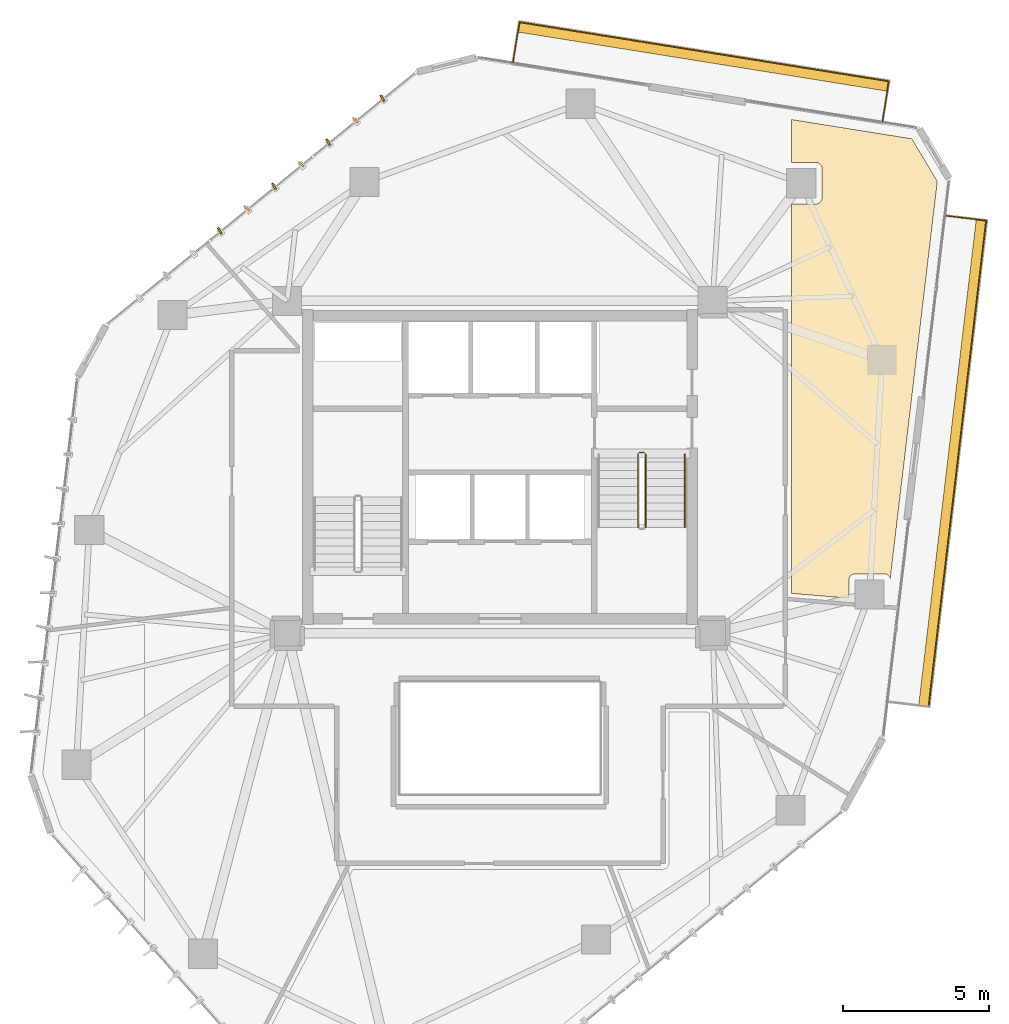
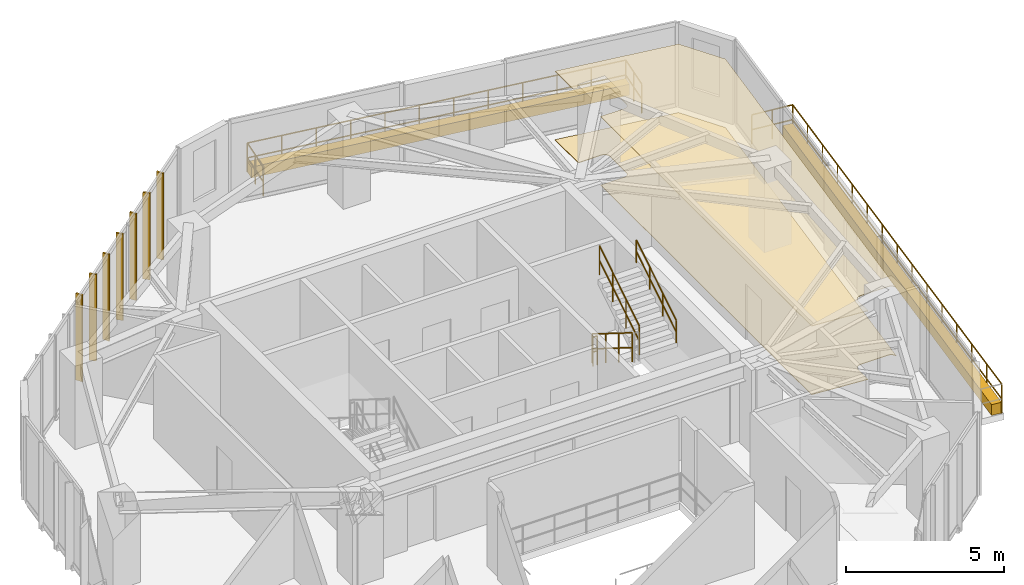
# One storey, part 22 of 22: 9 railings, 7 shading devices, 4 coverings.
"""IFC4 building model written with IfcOpenShell, lengths in metres."""

from ifc_helpers import new_model, si_unit, direction, frame, origin, origin_2d, place, context, subcontext, project, spatial, polyline, rectangle, circle, outline, extrude, source, transform, mapped, material, layer, layer_set, type_object, type_shapes, element, save


model = new_model("IFC4")

# Units and contexts
model_context = context("Model", 3, precision=1e-05, world=origin(), true_north=direction((0.0, 1.0)))
body_context = subcontext(model_context, "Body", "Model", "MODEL_VIEW")
ifc_project = project(units=[si_unit("LENGTHUNIT", "METRE"), si_unit("AREAUNIT", "SQUARE_METRE"), si_unit("VOLUMEUNIT", "CUBIC_METRE"), si_unit("PLANEANGLEUNIT", "RADIAN"), si_unit("MASSUNIT", "GRAM", prefix="KILO")], contexts=[model_context])

# Site, building, storey
site_placement = place(None, origin())
site = spatial("IfcSite", under=ifc_project, at=site_placement, CompositionType="ELEMENT")
building_placement = place(site_placement, origin())
building = spatial("IfcBuilding", under=site, at=building_placement, Name="Talar Marvaseh", CompositionType="ELEMENT")
storey_placement = place(building_placement, frame((0.0, 0.0, 208.199951171875)))
storey = spatial("IfcBuildingStorey", under=building, at=storey_placement, Name="L54", CompositionType="ELEMENT", Elevation=208.199951171875)

# Railings
ifc_material_1 = material(Name="Stainless Steel Grade 316", Category="steel")
railing_type_1 = type_object("IfcRailingType", Name="Brushed Stainless Wall Pitch Handrail 900", PredefinedType="HANDRAIL", material=ifc_material_1)
railing_1_placement = place(storey_placement, frame((32.35009765625, 29.1298828125, 1.925048828125)))
element("IfcRailing", 1, at=railing_1_placement, inside=storey, type_object=railing_type_1, Name="L54 ST-2 stair handrail 2", PredefinedType="HANDRAIL", context=body_context, shape_type="SweptSolid", body=[
    extrude(circle(Radius=0.02392578125, at=origin_2d()), frame((0.0, 0.0, 0.8759765625), z_axis=(0.0, 0.848007534815, 0.529984170421), x_axis=(-1.0, 0.0, 0.0)), (0.0, 0.0, 1.0), 2.9716796875),
    extrude(circle(Radius=0.02392578125, at=origin_2d()), frame((0.0, 0.0, 0.42578125), z_axis=(0.0, 0.848007534815, 0.529984170421), x_axis=(-1.0, 0.0, 0.0)), (0.0, 0.0, 1.0), 2.9716796875),
    extrude(circle(Radius=0.02099609375, at=origin_2d()), origin(), (0.0, 0.0, 1.0), 0.851806640625),
    extrude(circle(Radius=0.02099609375, at=origin_2d()), frame((0.0, 0.840087890625, 0.52490234375)), (0.0, 0.0, 1.0), 0.851806640625),
    extrude(circle(Radius=0.02099609375, at=origin_2d()), frame((0.0, 1.679931640625, 1.050048828125)), (0.0, 0.0, 1.0), 0.851806640625),
    extrude(circle(Radius=0.02099609375, at=origin_2d()), frame((0.0, 2.52001953125, 1.574951171875)), (0.0, 0.0, 1.0), 0.851806640625),
])
ifc_material_2 = material(Name="Tempered Clear Glass", Category="glass")
railing_type_2 = type_object("IfcRailingType", Name="External Laminated Glass Terrace Balustrade 1150", PredefinedType="BALUSTRADE", material=ifc_material_2)
railing_2_placement = place(storey_placement, frame((26.44921875, 45.08203125, 0.0)))
element("IfcRailing", 2, at=railing_2_placement, inside=storey, type_object=railing_type_2, Name="L54 External Terrace Balustrade 1 1", PredefinedType="BALUSTRADE", context=body_context, shape_type="SweptSolid", body=[
    extrude(circle(Radius=0.02392578125, at=origin_2d()), frame((0.0, 0.0, 1.1259765625), z_axis=(0.158105317145, 0.987422254504, 0.0), x_axis=(-0.987422254504, 0.158105317145, 0.0)), (0.0, 0.0, 1.0), 1.409912109375),
    extrude(circle(Radius=0.02392578125, at=origin_2d()), frame((0.0, 0.0, 0.55078125), z_axis=(0.158105317145, 0.987422254504, 0.0), x_axis=(-0.987422254504, 0.158105317145, 0.0)), (0.0, 0.0, 1.0), 1.409912109375),
    extrude(circle(Radius=0.02099609375, at=origin_2d()), origin(), (0.0, 0.0, 1.0), 1.101806640625),
    extrude(circle(Radius=0.02099609375, at=origin_2d()), frame((0.111328125, 0.696044921875, 0.0)), (0.0, 0.0, 1.0), 1.101806640625),
    extrude(circle(Radius=0.02099609375, at=origin_2d()), frame((0.222900390625, 1.39208984375, 0.0)), (0.0, 0.0, 1.0), 1.101806640625),
])
railing_3_placement = place(storey_placement, frame((26.672119140625, 46.47412109375, 0.0)))
element("IfcRailing", 3, at=railing_3_placement, inside=storey, type_object=railing_type_2, Name="L54 External Terrace Balustrade 1 2", PredefinedType="BALUSTRADE", context=body_context, shape_type="SweptSolid", body=[
    extrude(circle(Radius=0.02392578125, at=origin_2d()), frame((0.0, 0.0, 1.1259765625), z_axis=(0.987427219746, -0.158074304378, 0.0), x_axis=(0.158074304378, 0.987427219746, 0.0)), (0.0, 0.0, 1.0), 12.839111328125),
    extrude(circle(Radius=0.02392578125, at=origin_2d()), frame((0.0, 0.0, 0.55078125), z_axis=(0.987427219746, -0.158074304378, 0.0), x_axis=(0.158074304378, 0.987427219746, 0.0)), (0.0, 0.0, 1.0), 12.839111328125),
    extrude(circle(Radius=0.02099609375, at=origin_2d()), origin(), (0.0, 0.0, 1.0), 1.101806640625),
    extrude(circle(Radius=0.02099609375, at=origin_2d()), frame((1.152587890625, -0.1845703125, 0.0)), (0.0, 0.0, 1.0), 1.101806640625),
    extrude(circle(Radius=0.02099609375, at=origin_2d()), frame((2.304931640625, -0.368896484375, 0.0)), (0.0, 0.0, 1.0), 1.101806640625),
    extrude(circle(Radius=0.02099609375, at=origin_2d()), frame((3.45751953125, -0.553466796875, 0.0)), (0.0, 0.0, 1.0), 1.101806640625),
    extrude(circle(Radius=0.02099609375, at=origin_2d()), frame((4.610107421875, -0.738037109375, 0.0)), (0.0, 0.0, 1.0), 1.101806640625),
    extrude(circle(Radius=0.02099609375, at=origin_2d()), frame((5.7626953125, -0.922607421875, 0.0)), (0.0, 0.0, 1.0), 1.101806640625),
    extrude(circle(Radius=0.02099609375, at=origin_2d()), frame((6.9150390625, -1.10693359375, 0.0)), (0.0, 0.0, 1.0), 1.101806640625),
    extrude(circle(Radius=0.02099609375, at=origin_2d()), frame((8.067626953125, -1.29150390625, 0.0)), (0.0, 0.0, 1.0), 1.101806640625),
    extrude(circle(Radius=0.02099609375, at=origin_2d()), frame((9.22021484375, -1.47607421875, 0.0)), (0.0, 0.0, 1.0), 1.101806640625),
    extrude(circle(Radius=0.02099609375, at=origin_2d()), frame((10.372802734375, -1.66064453125, 0.0)), (0.0, 0.0, 1.0), 1.101806640625),
    extrude(circle(Radius=0.02099609375, at=origin_2d()), frame((11.525146484375, -1.844970703125, 0.0)), (0.0, 0.0, 1.0), 1.101806640625),
    extrude(circle(Radius=0.02099609375, at=origin_2d()), frame((12.677734375, -2.029541015625, 0.0)), (0.0, 0.0, 1.0), 1.101806640625),
])
railing_4_placement = place(storey_placement, frame((39.349853515625, 44.444580078125, 0.0)))
element("IfcRailing", 4, at=railing_4_placement, inside=storey, type_object=railing_type_2, Name="L54 External Terrace Balustrade 1 3", PredefinedType="BALUSTRADE", context=body_context, shape_type="SweptSolid", body=[
    extrude(circle(Radius=0.02392578125, at=origin_2d()), frame((0.0, 0.0, 1.1259765625), z_axis=(-0.158078286788, -0.987426582206, 0.0), x_axis=(0.987426582206, -0.158078286788, 0.0)), (0.0, 0.0, 1.0), 1.41015625),
    extrude(circle(Radius=0.02392578125, at=origin_2d()), frame((0.0, 0.0, 0.55078125), z_axis=(-0.158078286788, -0.987426582206, 0.0), x_axis=(0.987426582206, -0.158078286788, 0.0)), (0.0, 0.0, 1.0), 1.41015625),
    extrude(circle(Radius=0.02099609375, at=origin_2d()), origin(), (0.0, 0.0, 1.0), 1.101806640625),
    extrude(circle(Radius=0.02099609375, at=origin_2d()), frame((-0.111328125, -0.6962890625, 0.0)), (0.0, 0.0, 1.0), 1.101806640625),
    extrude(circle(Radius=0.02099609375, at=origin_2d()), frame((-0.222900390625, -1.392333984375, 0.0)), (0.0, 0.0, 1.0), 1.101806640625),
])
railing_5_placement = place(storey_placement, frame((41.294189453125, 39.826416015625, 0.0)))
element("IfcRailing", 5, at=railing_5_placement, inside=storey, type_object=railing_type_2, Name="L54 External Terrace Balustrade 2 1", PredefinedType="BALUSTRADE", context=body_context, shape_type="SweptSolid", body=[
    extrude(circle(Radius=0.02392578125, at=origin_2d()), frame((0.0, 0.0, 1.1259765625), z_axis=(0.993043817652, -0.117745387272, 0.0), x_axis=(0.117745387272, 0.993043817652, 0.0)), (0.0, 0.0, 1.0), 1.409912109375),
    extrude(circle(Radius=0.02392578125, at=origin_2d()), frame((0.0, 0.0, 0.55078125), z_axis=(0.993043817652, -0.117745387272, 0.0), x_axis=(0.117745387272, 0.993043817652, 0.0)), (0.0, 0.0, 1.0), 1.409912109375),
    extrude(circle(Radius=0.02099609375, at=origin_2d()), origin(), (0.0, 0.0, 1.0), 1.101806640625),
    extrude(circle(Radius=0.02099609375, at=origin_2d()), frame((0.7001953125, -0.0830078125, 0.0)), (0.0, 0.0, 1.0), 1.101806640625),
    extrude(circle(Radius=0.02099609375, at=origin_2d()), frame((1.400146484375, -0.166015625, 0.0)), (0.0, 0.0, 1.0), 1.101806640625),
])
railing_6_placement = place(storey_placement, frame((42.6943359375, 39.660400390625, 0.0)))
element("IfcRailing", 6, at=railing_6_placement, inside=storey, type_object=railing_type_2, Name="L54 External Terrace Balustrade 2 2", PredefinedType="BALUSTRADE", context=body_context, shape_type="SweptSolid", body=[
    extrude(circle(Radius=0.02392578125, at=origin_2d()), frame((0.0, 0.0, 1.1259765625), z_axis=(-0.117692562094, -0.993050079718, 0.0), x_axis=(0.993050079718, -0.117692562094, 0.0)), (0.0, 0.0, 1.0), 16.7880859375),
    extrude(circle(Radius=0.02392578125, at=origin_2d()), frame((0.0, 0.0, 0.55078125), z_axis=(-0.117692562094, -0.993050079718, 0.0), x_axis=(0.993050079718, -0.117692562094, 0.0)), (0.0, 0.0, 1.0), 16.7880859375),
    extrude(circle(Radius=0.02099609375, at=origin_2d()), origin(), (0.0, 0.0, 1.0), 1.101806640625),
    extrude(circle(Radius=0.02099609375, at=origin_2d()), frame((-0.14111328125, -1.19091796875, 0.0)), (0.0, 0.0, 1.0), 1.101806640625),
    extrude(circle(Radius=0.02099609375, at=origin_2d()), frame((-0.2822265625, -2.381591796875, 0.0)), (0.0, 0.0, 1.0), 1.101806640625),
    extrude(circle(Radius=0.02099609375, at=origin_2d()), frame((-0.42333984375, -3.572509765625, 0.0)), (0.0, 0.0, 1.0), 1.101806640625),
    extrude(circle(Radius=0.02099609375, at=origin_2d()), frame((-0.564453125, -4.76318359375, 0.0)), (0.0, 0.0, 1.0), 1.101806640625),
    extrude(circle(Radius=0.02099609375, at=origin_2d()), frame((-0.70556640625, -5.9541015625, 0.0)), (0.0, 0.0, 1.0), 1.101806640625),
    extrude(circle(Radius=0.02099609375, at=origin_2d()), frame((-0.8466796875, -7.144775390625, 0.0)), (0.0, 0.0, 1.0), 1.101806640625),
    extrude(circle(Radius=0.02099609375, at=origin_2d()), frame((-0.98779296875, -8.335693359375, 0.0)), (0.0, 0.0, 1.0), 1.101806640625),
    extrude(circle(Radius=0.02099609375, at=origin_2d()), frame((-1.129150390625, -9.526611328125, 0.0)), (0.0, 0.0, 1.0), 1.101806640625),
    extrude(circle(Radius=0.02099609375, at=origin_2d()), frame((-1.270263671875, -10.71728515625, 0.0)), (0.0, 0.0, 1.0), 1.101806640625),
    extrude(circle(Radius=0.02099609375, at=origin_2d()), frame((-1.411376953125, -11.908203125, 0.0)), (0.0, 0.0, 1.0), 1.101806640625),
    extrude(circle(Radius=0.02099609375, at=origin_2d()), frame((-1.552490234375, -13.098876953125, 0.0)), (0.0, 0.0, 1.0), 1.101806640625),
    extrude(circle(Radius=0.02099609375, at=origin_2d()), frame((-1.693603515625, -14.289794921875, 0.0)), (0.0, 0.0, 1.0), 1.101806640625),
    extrude(circle(Radius=0.02099609375, at=origin_2d()), frame((-1.834716796875, -15.48046875, 0.0)), (0.0, 0.0, 1.0), 1.101806640625),
    extrude(circle(Radius=0.02099609375, at=origin_2d()), frame((-1.975830078125, -16.67138671875, 0.0)), (0.0, 0.0, 1.0), 1.101806640625),
])
railing_type_3 = type_object("IfcRailingType", Name="Painted Steel Core Stair Well Guardrail 1150", PredefinedType="GUARDRAIL", material=ifc_material_1)
railing_7_placement = place(storey_placement, frame((30.739990234375, 31.64990234375, 0.175048828125)))
element("IfcRailing", 7, at=railing_7_placement, inside=storey, type_object=railing_type_3, Name="L54 ST-2 stair guard 1", PredefinedType="GUARDRAIL", context=body_context, shape_type="SweptSolid", body=[
    extrude(circle(Radius=0.02392578125, at=origin_2d()), frame((0.0, 0.0, 1.1259765625), z_axis=(0.0, -0.848007534815, 0.529984170421), x_axis=(1.0, 0.0, 0.0)), (0.0, 0.0, 1.0), 2.9716796875),
    extrude(circle(Radius=0.02392578125, at=origin_2d()), frame((0.0, 0.0, 0.55078125), z_axis=(0.0, -0.848007534815, 0.529984170421), x_axis=(1.0, 0.0, 0.0)), (0.0, 0.0, 1.0), 2.9716796875),
    extrude(circle(Radius=0.02099609375, at=origin_2d()), origin(), (0.0, 0.0, 1.0), 1.101806640625),
    extrude(circle(Radius=0.02099609375, at=origin_2d()), frame((0.0, -0.840087890625, 0.52490234375)), (0.0, 0.0, 1.0), 1.101806640625),
    extrude(circle(Radius=0.02099609375, at=origin_2d()), frame((0.0, -1.679931640625, 1.050048828125)), (0.0, 0.0, 1.0), 1.101806640625),
    extrude(circle(Radius=0.02099609375, at=origin_2d()), frame((0.0, -2.52001953125, 1.574951171875)), (0.0, 0.0, 1.0), 1.101806640625),
])
railing_8_placement = place(storey_placement, frame((31.0, 29.1298828125, 1.925048828125)))
element("IfcRailing", 8, at=railing_8_placement, inside=storey, type_object=railing_type_3, Name="L54 ST-2 stair guard 3", PredefinedType="GUARDRAIL", context=body_context, shape_type="SweptSolid", body=[
    extrude(circle(Radius=0.02392578125, at=origin_2d()), frame((0.0, 0.0, 1.1259765625), z_axis=(0.0, 0.848007534815, 0.529984170421), x_axis=(-1.0, 0.0, 0.0)), (0.0, 0.0, 1.0), 2.9716796875),
    extrude(circle(Radius=0.02392578125, at=origin_2d()), frame((0.0, 0.0, 0.55078125), z_axis=(0.0, 0.848007534815, 0.529984170421), x_axis=(-1.0, 0.0, 0.0)), (0.0, 0.0, 1.0), 2.9716796875),
    extrude(circle(Radius=0.02099609375, at=origin_2d()), origin(), (0.0, 0.0, 1.0), 1.101806640625),
    extrude(circle(Radius=0.02099609375, at=origin_2d()), frame((0.0, 0.840087890625, 0.52490234375)), (0.0, 0.0, 1.0), 1.101806640625),
    extrude(circle(Radius=0.02099609375, at=origin_2d()), frame((0.0, 1.679931640625, 1.050048828125)), (0.0, 0.0, 1.0), 1.101806640625),
    extrude(circle(Radius=0.02099609375, at=origin_2d()), frame((0.0, 2.52001953125, 1.574951171875)), (0.0, 0.0, 1.0), 1.101806640625),
])
railing_9_placement = place(storey_placement, frame((30.7900390625, 31.699951171875, 0.0)))
element("IfcRailing", 9, at=railing_9_placement, inside=storey, type_object=railing_type_3, Name="L54 ST-2 stair guard 4", PredefinedType="GUARDRAIL", context=body_context, shape_type="SweptSolid", body=[
    extrude(circle(Radius=0.02392578125, at=origin_2d()), frame((0.0, 0.0, 1.1259765625), z_axis=(1.0, 0.0, 0.0), x_axis=(0.0, 1.0, 0.0)), (0.0, 0.0, 1.0), 0.159912109375),
    extrude(circle(Radius=0.02392578125, at=origin_2d()), frame((0.0, 0.0, 0.55078125), z_axis=(1.0, 0.0, 0.0), x_axis=(0.0, 1.0, 0.0)), (0.0, 0.0, 1.0), 0.159912109375),
    extrude(circle(Radius=0.02099609375, at=origin_2d()), origin(), (0.0, 0.0, 1.0), 1.101806640625),
    extrude(circle(Radius=0.02099609375, at=origin_2d()), frame((0.159912109375, 0.0, 0.0)), (0.0, 0.0, 1.0), 1.101806640625),
])

# Coverings
ifc_material_3 = material(Name="Mineral Fibre Acoustic Ceiling")
ifc_layer_1 = layer(ifc_material_3, 0.02490234375)
ifc_layer_set_1 = layer_set([ifc_layer_1], Name="Mineral Fibre Acoustic Ceiling")
covering_type_1 = type_object("IfcCoveringType", Name="Perforated Mineral Fibre Acoustic Suspended Ceiling", PredefinedType="CEILING", material=ifc_layer_set_1)
covering_1_placement = place(storey_placement, frame((0.0, 0.0, 2.650146484375)))
element("IfcCovering", 10, at=covering_1_placement, inside=storey, type_object=covering_type_1, Name="L54 Visitor Orientation Foyer Acoustic Ceiling", PredefinedType="CEILING", context=body_context, shape_type="SweptSolid", body=[
    extrude(outline(polyline([(41.0107421875, 41.00244140625), (39.39599609375, 27.37890625), (39.39404296875, 27.385986328125), (39.38671875, 27.40576171875), (39.376953125, 27.42431640625), (39.365478515625, 27.44189453125), (39.352294921875, 27.458251953125), (39.338623046875, 27.47314453125), (39.32568359375, 27.486328125), (39.311279296875, 27.498291015625), (39.2958984375, 27.5087890625), (39.27978515625, 27.517822265625), (39.2626953125, 27.525390625), (39.2451171875, 27.53125), (39.226806640625, 27.53564453125), (39.20849609375, 27.5380859375), (39.189697265625, 27.538818359375), (38.1787109375, 27.53564453125), (38.158447265625, 27.534423828125), (38.13818359375, 27.53125), (38.118408203125, 27.526123046875), (38.099365234375, 27.518798828125), (38.0810546875, 27.509765625), (38.063720703125, 27.498779296875), (38.0478515625, 27.486083984375), (38.033203125, 27.471923828125), (38.02001953125, 27.456298828125), (38.008544921875, 27.439208984375), (37.998779296875, 27.42138671875), (37.993408203125, 27.40966796875), (37.986328125, 27.393310546875), (37.98095703125, 27.37646484375), (37.97705078125, 27.359130859375), (37.974853515625, 27.341796875), (37.97412109375, 27.323974609375), (37.97412109375, 26.70166015625), (36.0, 26.8662109375), (36.0, 36.60009765625), (36.0, 40.2314453125), (36.8515625, 40.2314453125), (36.87109375, 40.232421875), (36.890380859375, 40.235107421875), (36.909423828125, 40.239990234375), (36.927978515625, 40.24658203125), (36.945556640625, 40.2548828125), (36.96240234375, 40.264892578125), (36.978271484375, 40.276611328125), (36.99267578125, 40.289794921875), (37.005859375, 40.30419921875), (37.017578125, 40.31982421875), (37.027587890625, 40.336669921875), (37.0361328125, 40.354248046875), (37.042724609375, 40.372802734375), (37.047607421875, 40.3916015625), (37.050537109375, 40.410888671875), (37.051513671875, 40.4306640625), (37.055908203125, 41.442626953125), (37.05517578125, 41.461181640625), (37.052490234375, 41.479736328125), (37.04833984375, 41.497802734375), (37.04248046875, 41.515625), (37.034912109375, 41.53271484375), (37.02587890625, 41.548828125), (37.015380859375, 41.564208984375), (37.00341796875, 41.57861328125), (36.990234375, 41.591796875), (36.975341796875, 41.605224609375), (36.9609375, 41.616943359375), (36.94580078125, 41.62744140625), (36.929443359375, 41.63623046875), (36.91259765625, 41.643798828125), (36.89501953125, 41.649658203125), (36.876953125, 41.65380859375), (36.858642578125, 41.65625), (36.840087890625, 41.656982421875), (36.0, 41.6533203125), (36.0, 43.12744140625), (40.137939453125, 42.465087890625), (41.0107421875, 41.00244140625)])), origin(), (0.0, 0.0, 1.0), 0.02490234375),
])
ifc_material_4 = material(Name="Planted Terrace Vegetated Substrate")
ifc_layer_2 = layer(ifc_material_4, 0.39990234375)
ifc_layer_set_2 = layer_set([ifc_layer_2], Name="Planted Terrace Vegetated Substrate")
covering_type_2 = type_object("IfcCoveringType", Name="Planted Terrace Soil Planter Box Cladding", PredefinedType="CLADDING", material=ifc_layer_set_2)
covering_2_placement = place(storey_placement, origin())
element("IfcCovering", 11, at=covering_2_placement, inside=storey, type_object=covering_type_2, Name="L54 Balcony Structural Planter 1", PredefinedType="CLADDING", context=body_context, shape_type="SweptSolid", body=[
    extrude(outline(polyline([(26.672119140625, 46.47412109375), (39.349853515625, 44.444580078125), (39.29443359375, 44.098876953125), (26.61669921875, 46.128662109375), (26.672119140625, 46.47412109375)])), origin(), (0.0, 0.0, 1.0), 0.420166015625),
])
covering_3_placement = place(storey_placement, origin())
element("IfcCovering", 12, at=covering_3_placement, inside=storey, type_object=covering_type_2, Name="L54 Balcony Structural Planter 2", PredefinedType="CLADDING", context=body_context, shape_type="SweptSolid", body=[
    extrude(outline(polyline([(42.6943359375, 39.660400390625), (40.718505859375, 22.989013671875), (40.37109375, 23.0302734375), (42.346923828125, 39.70166015625), (42.6943359375, 39.660400390625)])), origin(), (0.0, 0.0, 1.0), 0.420166015625),
])
ifc_material_5 = material(Name="Porcelain Stoneware Tile", Category="masonry")
ifc_layer_3 = layer(ifc_material_5, 0.02001953125)
ifc_layer_set_3 = layer_set([ifc_layer_3], Name="Porcelain Stoneware Tile")
covering_type_3 = type_object("IfcCoveringType", Name="Polished Porcelain Stoneware Gallery Flooring", PredefinedType="FLOORING", material=ifc_layer_set_3)
covering_4_placement = place(storey_placement, origin())
element("IfcCovering", 13, at=covering_4_placement, inside=storey, type_object=covering_type_3, Name="L54 Visitor Orientation Foyer Flooring", PredefinedType="FLOORING", context=body_context, shape_type="SweptSolid", body=[
    extrude(outline(polyline([(41.0107421875, 41.00244140625), (39.39599609375, 27.37890625), (39.39404296875, 27.385986328125), (39.38671875, 27.40576171875), (39.376953125, 27.42431640625), (39.365478515625, 27.44189453125), (39.352294921875, 27.458251953125), (39.338623046875, 27.47314453125), (39.32568359375, 27.486328125), (39.311279296875, 27.498291015625), (39.2958984375, 27.5087890625), (39.27978515625, 27.517822265625), (39.2626953125, 27.525390625), (39.2451171875, 27.53125), (39.226806640625, 27.53564453125), (39.20849609375, 27.5380859375), (39.189697265625, 27.538818359375), (38.1787109375, 27.53564453125), (38.158447265625, 27.534423828125), (38.13818359375, 27.53125), (38.118408203125, 27.526123046875), (38.099365234375, 27.518798828125), (38.0810546875, 27.509765625), (38.063720703125, 27.498779296875), (38.0478515625, 27.486083984375), (38.033203125, 27.471923828125), (38.02001953125, 27.456298828125), (38.008544921875, 27.439208984375), (37.998779296875, 27.42138671875), (37.993408203125, 27.40966796875), (37.986328125, 27.393310546875), (37.98095703125, 27.37646484375), (37.97705078125, 27.359130859375), (37.974853515625, 27.341796875), (37.97412109375, 27.323974609375), (37.97412109375, 26.70166015625), (36.0, 26.8662109375), (36.0, 36.60009765625), (36.0, 40.2314453125), (36.8515625, 40.2314453125), (36.87109375, 40.232421875), (36.890380859375, 40.235107421875), (36.909423828125, 40.239990234375), (36.927978515625, 40.24658203125), (36.945556640625, 40.2548828125), (36.96240234375, 40.264892578125), (36.978271484375, 40.276611328125), (36.99267578125, 40.289794921875), (37.005859375, 40.30419921875), (37.017578125, 40.31982421875), (37.027587890625, 40.336669921875), (37.0361328125, 40.354248046875), (37.042724609375, 40.372802734375), (37.047607421875, 40.3916015625), (37.050537109375, 40.410888671875), (37.051513671875, 40.4306640625), (37.055908203125, 41.442626953125), (37.05517578125, 41.461181640625), (37.052490234375, 41.479736328125), (37.04833984375, 41.497802734375), (37.04248046875, 41.515625), (37.034912109375, 41.53271484375), (37.02587890625, 41.548828125), (37.015380859375, 41.564208984375), (37.00341796875, 41.57861328125), (36.990234375, 41.591796875), (36.975341796875, 41.605224609375), (36.9609375, 41.616943359375), (36.94580078125, 41.62744140625), (36.929443359375, 41.63623046875), (36.91259765625, 41.643798828125), (36.89501953125, 41.649658203125), (36.876953125, 41.65380859375), (36.858642578125, 41.65625), (36.840087890625, 41.656982421875), (36.0, 41.6533203125), (36.0, 43.12744140625), (40.137939453125, 42.465087890625), (41.0107421875, 41.00244140625)])), origin(), (0.0, 0.0, 1.0), 0.02001953125),
])

# Shading devices
ifc_material_6 = material(Name="Anodised Champagne Bronze Aluminium", Category="aluminium")
ifc_layer_4 = layer(ifc_material_6, 0.06494140625)
ifc_layer_set_4 = layer_set([ifc_layer_4], Name="Anodised Champagne Bronze Aluminium")
shading_device_type = type_object("IfcShadingDeviceType", Name="Sawtooth Champagne Bronze Vertical Fin 240", PredefinedType="USERDEFINED", material=ifc_layer_set_4)
shared_shape = source(origin(), body_context, "Body", "SweptSolid", [
    extrude(rectangle(XDim=0.239990234375, YDim=0.06494140625, at=origin_2d()), origin(), (0.0, 0.0, 1.0), 3.35009765625),
])
type_shapes(shading_device_type, [shared_shape])
for number, where, z_axis, x_axis, name in (
    (14, (16.388916015625, 39.31494140625, -0.1201171875), (0.0, 0.0, 1.0), (-0.517728399366, 0.855545033584, 0.0), "L54 Sawtooth Vertical Solar Fin"),
    (15, (17.319091796875, 40.0732421875, -0.1201171875), (0.0, 0.0, 1.0), (-0.73349265005, 0.679697382901, 0.0), "L54 Sawtooth Vertical Solar Fin"),
    (16, (18.249267578125, 40.831298828125, -0.1201171875), (0.0, 0.0, 1.0), (-0.517728399366, 0.855545033584, 0.0), "L54 Sawtooth Vertical Solar Fin"),
    (17, (19.179443359375, 41.589599609375, -0.1201171875), (0.0, 0.0, 1.0), (-0.73349265005, 0.679697382901, 0.0), "L54 Sawtooth Vertical Solar Fin"),
    (18, (20.109619140625, 42.34765625, -0.1201171875), (0.0, 0.0, 1.0), (-0.517728399366, 0.855545033584, 0.0), "L54 Sawtooth Vertical Solar Fin"),
    (19, (21.039794921875, 43.105712890625, -0.1201171875), (0.0, 0.0, 1.0), (-0.73349265005, 0.679697382901, 0.0), "L54 Sawtooth Vertical Solar Fin"),
    (20, (21.969970703125, 43.864013671875, -0.1201171875), (0.0, 0.0, 1.0), (-0.517728399366, 0.855545033584, 0.0), "L54 Sawtooth Vertical Solar Fin"),
):
    element("IfcShadingDevice", number, at=place(storey_placement, frame(where, z_axis=z_axis, x_axis=x_axis)), inside=storey, type_object=shading_device_type, Name=name, ObjectType="FIN", PredefinedType="USERDEFINED", context=body_context, shape_type="MappedRepresentation", body=[
        mapped(shared_shape, transform((0.0, 0.0, 0.0), x_axis=(1.0, 0.0, 0.0), y_axis=(0.0, 1.0, 0.0), z_axis=(0.0, 0.0, 1.0), scale=1.0)),
    ])

save(model, "model.ifc")
